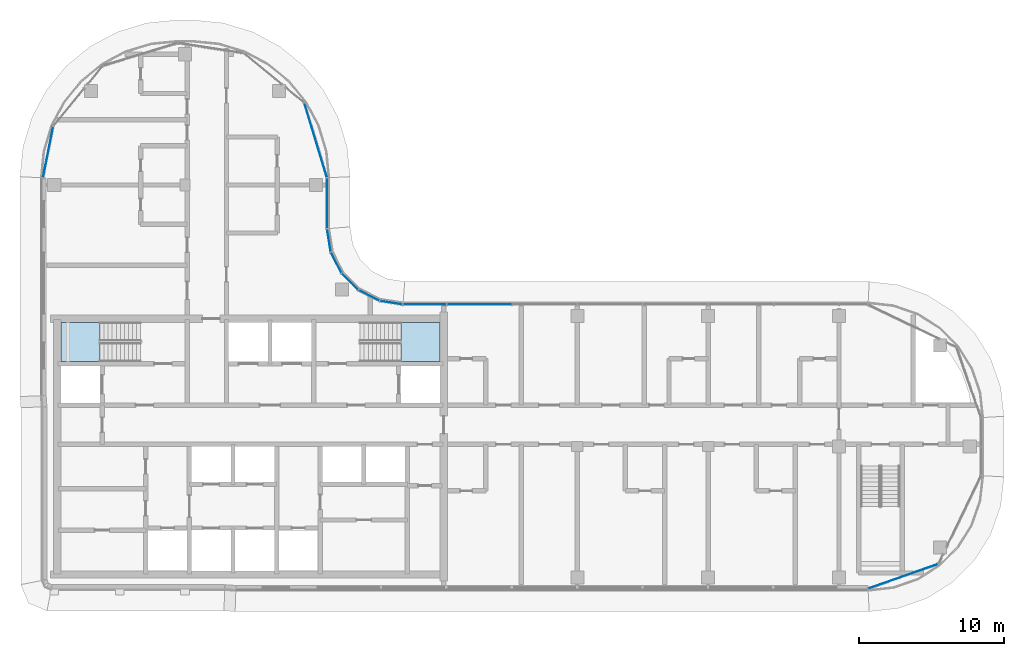
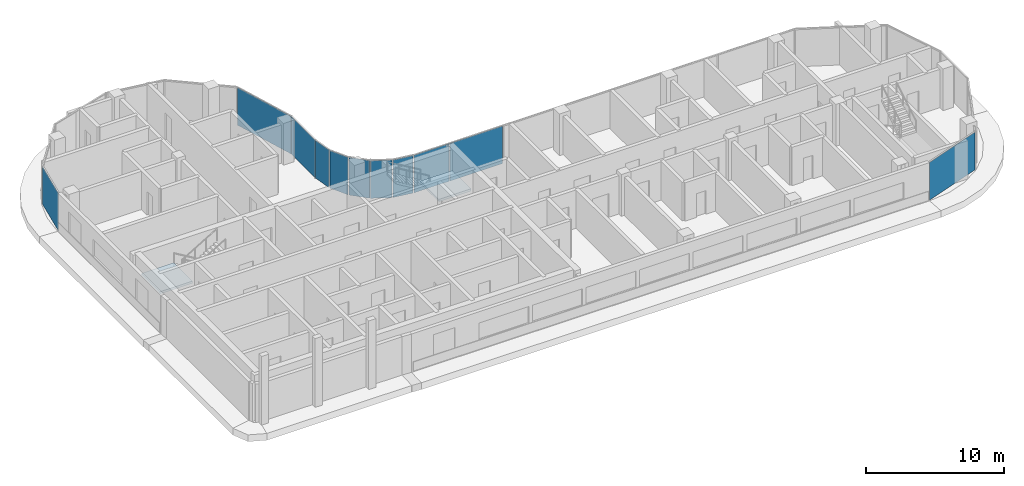
# One storey, part 8 of 22: 11 plates, 2 slabs, 8 elements without a shape of their own.
"""IFC4 building model written with IfcOpenShell, lengths in metres."""

from ifc_helpers import new_model, si_unit, direction, frame, origin, origin_2d, place, context, subcontext, project, spatial, polyline, rectangle, outline, extrude, material, layer, layer_set, type_object, element, aggregate, save


model = new_model("IFC4")

# Units and contexts
model_context = context("Model", 3, precision=1e-05, world=origin(), true_north=direction((0.0, 1.0)))
body_context = subcontext(model_context, "Body", "Model", "MODEL_VIEW")
ifc_project = project(units=[si_unit("LENGTHUNIT", "METRE"), si_unit("AREAUNIT", "SQUARE_METRE"), si_unit("VOLUMEUNIT", "CUBIC_METRE"), si_unit("PLANEANGLEUNIT", "RADIAN"), si_unit("MASSUNIT", "GRAM", prefix="KILO")], contexts=[model_context])

# Site, building, storey
site_placement = place(None, origin())
site = spatial("IfcSite", under=ifc_project, at=site_placement, CompositionType="ELEMENT")
building_placement = place(site_placement, origin())
building = spatial("IfcBuilding", under=site, at=building_placement, Name="Ogive Portal Towers", CompositionType="ELEMENT")
storey_placement = place(building_placement, frame((0.0, 0.0, 206.89990234375)))
storey = spatial("IfcBuildingStorey", under=building, at=storey_placement, Name="L51", CompositionType="ELEMENT", Elevation=206.89990234375)

# Curtain wall, plates
ifc_material_1 = material(Name="Glass, clear low-iron insulated glazing", Category="glass")
curtain_wall_type = type_object("IfcCurtainWallType", Name="CW FRONT RIBBON 4500", PredefinedType="NOTDEFINED", material=ifc_material_1)
curtain_wall_1_placement = place(storey_placement, origin())
curtain_wall_1 = element("IfcCurtainWall", 1, at=curtain_wall_1_placement, inside=storey, type_object=curtain_wall_type, Name="A:L51:f11:cw0", PredefinedType="NOTDEFINED")
ifc_layer_1 = layer(ifc_material_1, 0.028076171875)
ifc_layer_set_1 = layer_set([ifc_layer_1], Name="CW PANEL IGU 28")
plate_type = type_object("IfcPlateType", Name="CW PANEL IGU 28", PredefinedType="CURTAIN_PANEL", material=ifc_layer_set_1)
plate_1_placement = place(storey_placement, frame((60.75, 40.27490234375, 0.0), z_axis=(0.0, 0.0, 1.0), x_axis=(-1.0, 0.0, 0.0)))
plate_1 = element("IfcPlate", 2, at=plate_1_placement, type_object=plate_type, Name="panel", PredefinedType="CURTAIN_PANEL", context=body_context, shape_type="SweptSolid", body=[
    extrude(rectangle(XDim=4.43994140625, YDim=0.028076171875, at=origin_2d()), origin(), (0.0, 0.0, 1.0), 3.340087890625),
])
plate_2_placement = place(storey_placement, frame((56.996826171875, 40.27490234375, 0.0), z_axis=(0.0, 0.0, 1.0), x_axis=(-1.0, 0.0, 0.0)))
plate_2 = element("IfcPlate", 3, at=plate_2_placement, type_object=plate_type, Name="panel", PredefinedType="CURTAIN_PANEL", context=body_context, shape_type="SweptSolid", body=[
    extrude(rectangle(XDim=2.9462890625, YDim=0.028076171875, at=origin_2d()), origin(), (0.0, 0.0, 1.0), 3.340087890625),
])
aggregate(curtain_wall_1, [plate_1, plate_2])

# Curtain wall, plate
curtain_wall_2_placement = place(storey_placement, origin())
curtain_wall_2 = element("IfcCurtainWall", 4, at=curtain_wall_2_placement, inside=storey, type_object=curtain_wall_type, Name="A:L51:f17:cw0", PredefinedType="NOTDEFINED")
plate_3_placement = place(storey_placement, frame((50.27490234375, 47.240966796875, 0.0), z_axis=(0.0, 0.0, 1.0), x_axis=(0.0, 1.0, 0.0)))
plate_3 = element("IfcPlate", 5, at=plate_3_placement, type_object=plate_type, Name="panel", PredefinedType="CURTAIN_PANEL", context=body_context, shape_type="SweptSolid", body=[
    extrude(rectangle(XDim=3.434326171875, YDim=0.028076171875, at=origin_2d()), origin(), (0.0, 0.0, 1.0), 3.340087890625),
])
aggregate(curtain_wall_2, [plate_3])

curtain_wall_3_placement = place(storey_placement, origin())
curtain_wall_3 = element("IfcCurtainWall", 6, at=curtain_wall_3_placement, inside=storey, type_object=curtain_wall_type, Name="A:L51:f06:cwa~0", PredefinedType="NOTDEFINED")
plate_4_placement = place(storey_placement, frame((89.9130859375, 21.57421875, 0.0), z_axis=(0.0, 0.0, 1.0), x_axis=(0.943883330307, 0.33027906196, 0.0)))
plate_4 = element("IfcPlate", 7, at=plate_4_placement, type_object=plate_type, Name="panel", PredefinedType="CURTAIN_PANEL", context=body_context, shape_type="SweptSolid", body=[
    extrude(rectangle(XDim=5.08203125, YDim=0.028076171875, at=origin_2d()), origin(), (0.0, 0.0, 1.0), 3.340087890625),
])
aggregate(curtain_wall_3, [plate_4])

# Curtain wall, plates
curtain_wall_4_placement = place(storey_placement, origin())
curtain_wall_4 = element("IfcCurtainWall", 8, at=curtain_wall_4_placement, inside=storey, type_object=curtain_wall_type, Name="A:L51:f12:cwa", PredefinedType="NOTDEFINED")
plate_5_placement = place(storey_placement, frame((54.689453125, 40.40234375, 0.0), z_axis=(0.0, 0.0, 1.0), x_axis=(-0.987688340595, 0.15643446504, 0.0)))
plate_5 = element("IfcPlate", 9, at=plate_5_placement, type_object=plate_type, Name="panel", PredefinedType="CURTAIN_PANEL", context=body_context, shape_type="SweptSolid", body=[
    extrude(rectangle(XDim=1.568603515625, YDim=0.028076171875, at=origin_2d()), origin(), (0.0, 0.0, 1.0), 3.340087890625),
])
plate_6_placement = place(storey_placement, frame((53.15673828125, 40.90087890625, 0.0), z_axis=(0.0, 0.0, 1.0), x_axis=(-0.891006524188, 0.45399049974, 0.0)))
plate_6 = element("IfcPlate", 10, at=plate_6_placement, type_object=plate_type, Name="panel", PredefinedType="CURTAIN_PANEL", context=body_context, shape_type="SweptSolid", body=[
    extrude(rectangle(XDim=1.574951171875, YDim=0.028076171875, at=origin_2d()), origin(), (0.0, 0.0, 1.0), 3.340087890625),
])
plate_7_placement = place(storey_placement, frame((51.85009765625, 41.85009765625, 0.0), z_axis=(0.0, 0.0, 1.0), x_axis=(-0.707106781187, 0.707106781187, 0.0)))
plate_7 = element("IfcPlate", 11, at=plate_7_placement, type_object=plate_type, Name="panel", PredefinedType="CURTAIN_PANEL", context=body_context, shape_type="SweptSolid", body=[
    extrude(rectangle(XDim=1.574951171875, YDim=0.028076171875, at=origin_2d()), origin(), (0.0, 0.0, 1.0), 3.340087890625),
])
plate_8_placement = place(storey_placement, frame((50.90087890625, 43.15673828125, 0.0), z_axis=(0.0, 0.0, 1.0), x_axis=(-0.45399049974, 0.891006524188, 0.0)))
plate_8 = element("IfcPlate", 12, at=plate_8_placement, type_object=plate_type, Name="panel", PredefinedType="CURTAIN_PANEL", context=body_context, shape_type="SweptSolid", body=[
    extrude(rectangle(XDim=1.574951171875, YDim=0.028076171875, at=origin_2d()), origin(), (0.0, 0.0, 1.0), 3.340087890625),
])
plate_9_placement = place(storey_placement, frame((50.40234375, 44.689453125, 0.0), z_axis=(0.0, 0.0, 1.0), x_axis=(-0.15643446504, 0.987688340595, 0.0)))
plate_9 = element("IfcPlate", 13, at=plate_9_placement, type_object=plate_type, Name="panel", PredefinedType="CURTAIN_PANEL", context=body_context, shape_type="SweptSolid", body=[
    extrude(rectangle(XDim=1.568603515625, YDim=0.028076171875, at=origin_2d()), origin(), (0.0, 0.0, 1.0), 3.340087890625),
])
aggregate(curtain_wall_4, [plate_5, plate_6, plate_7, plate_8, plate_9])

# Curtain wall, plate
curtain_wall_5_placement = place(storey_placement, origin())
curtain_wall_5 = element("IfcCurtainWall", 14, at=curtain_wall_5_placement, inside=storey, type_object=curtain_wall_type, Name="A:L51:f18:cwa~0", PredefinedType="NOTDEFINED")
plate_10_placement = place(storey_placement, frame((49.491943359375, 51.569580078125, 0.0), z_axis=(0.0, 0.0, 1.0), x_axis=(-0.290284677254, 0.956940335732, 0.0)))
plate_10 = element("IfcPlate", 15, at=plate_10_placement, type_object=plate_type, Name="panel", PredefinedType="CURTAIN_PANEL", context=body_context, shape_type="SweptSolid", body=[
    extrude(rectangle(XDim=5.335205078125, YDim=0.028076171875, at=origin_2d()), origin(), (0.0, 0.0, 1.0), 3.340087890625),
])
aggregate(curtain_wall_5, [plate_10])

curtain_wall_6_placement = place(storey_placement, origin())
curtain_wall_6 = element("IfcCurtainWall", 16, at=curtain_wall_6_placement, inside=storey, type_object=curtain_wall_type, Name="A:L51:f18:cwa~2", PredefinedType="NOTDEFINED")
plate_11_placement = place(storey_placement, frame((31.078369140625, 50.768310546875, 0.0), z_axis=(0.0, 0.0, 1.0), x_axis=(-0.195090322016, -0.980785280403, 0.0)))
plate_11 = element("IfcPlate", 17, at=plate_11_placement, type_object=plate_type, Name="panel", PredefinedType="CURTAIN_PANEL", context=body_context, shape_type="SweptSolid", body=[
    extrude(rectangle(XDim=3.562255859375, YDim=0.028076171875, at=origin_2d()), origin(), (0.0, 0.0, 1.0), 3.340087890625),
])
aggregate(curtain_wall_6, [plate_11])

# Stair, slab
ifc_material_2 = material(Name="Concrete C40/50", Category="concrete")
stair_type = type_object("IfcStairType", Name="INT-STAIR", PredefinedType="HALF_TURN_STAIR", material=ifc_material_2)
stair_1_placement = place(storey_placement, origin())
stair_1 = element("IfcStair", 18, at=stair_1_placement, inside=storey, type_object=stair_type, Name="L51 Exit Stair ST-A1", PredefinedType="HALF_TURN_STAIR")
ifc_layer_2 = layer(ifc_material_2, 0.199951171875)
ifc_layer_set_2 = layer_set([ifc_layer_2], Name="INT-LANDING")
slab_type = type_object("IfcSlabType", Name="INT-LANDING", PredefinedType="LANDING", material=ifc_layer_set_2)
slab_1_placement = place(storey_placement, frame((0.0, 0.0, 1.650146484375)))
slab_1 = element("IfcSlab", 19, at=slab_1_placement, type_object=slab_type, Name="ST-A1 landing 1", PredefinedType="LANDING", context=body_context, shape_type="SweptSolid", body=[
    extrude(outline(polyline([(34.64990234375, 39.050048828125), (31.949951171875, 39.050048828125), (31.949951171875, 36.35009765625), (34.64990234375, 36.35009765625), (34.64990234375, 39.050048828125)])), origin(), (0.0, 0.0, 1.0), 0.199951171875),
])
aggregate(stair_1, [slab_1])

stair_2_placement = place(storey_placement, origin())
stair_2 = element("IfcStair", 20, at=stair_2_placement, inside=storey, type_object=stair_type, Name="L51 Exit Stair ST-A2", PredefinedType="HALF_TURN_STAIR")
slab_2_placement = place(storey_placement, frame((0.0, 0.0, 1.650146484375)))
slab_2 = element("IfcSlab", 21, at=slab_2_placement, type_object=slab_type, Name="ST-A2 landing 1", PredefinedType="LANDING", context=body_context, shape_type="SweptSolid", body=[
    extrude(outline(polyline([(55.35009765625, 36.35009765625), (58.050048828125, 36.35009765625), (58.050048828125, 39.050048828125), (55.35009765625, 39.050048828125), (55.35009765625, 36.35009765625)])), origin(), (0.0, 0.0, 1.0), 0.199951171875),
])
aggregate(stair_2, [slab_2])

save(model, "model.ifc")
